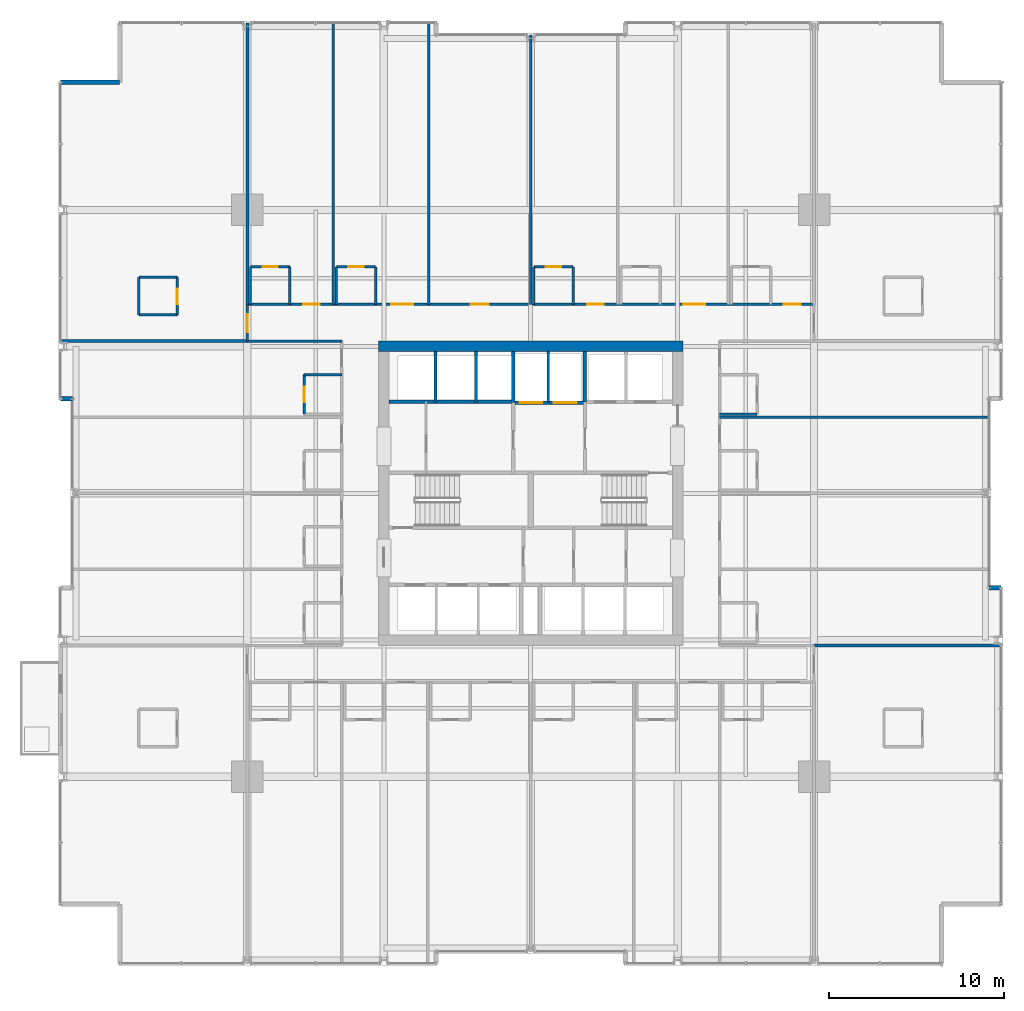
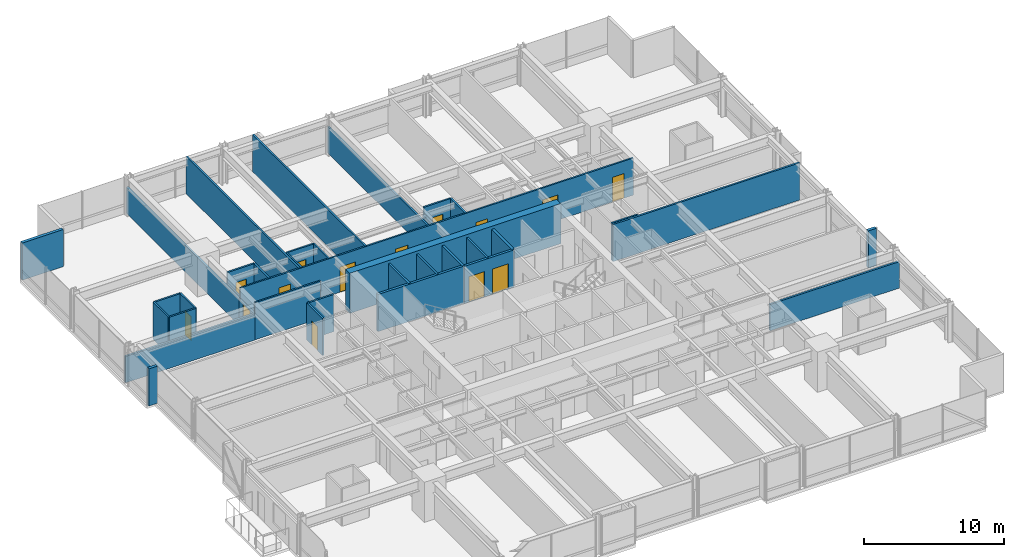
# One storey, part 33 of 39: 37 walls, 14 doors, 14 openings.
"""IFC4 building model written with IfcOpenShell, lengths in metres."""

from ifc_helpers import new_model, si_unit, direction, frame, frame_2d, origin, place, context, subcontext, project, spatial, rectangle, extrude, material, layer, layer_set, type_object, element, fill, save


model = new_model("IFC4")

# Units and contexts
model_context = context("Model", 3, precision=1e-05, world=origin(), true_north=direction((0.0, 1.0)))
body_context = subcontext(model_context, "Body", "Model", "MODEL_VIEW")
ifc_project = project(units=[si_unit("LENGTHUNIT", "METRE"), si_unit("AREAUNIT", "SQUARE_METRE"), si_unit("VOLUMEUNIT", "CUBIC_METRE"), si_unit("PLANEANGLEUNIT", "RADIAN"), si_unit("MASSUNIT", "GRAM", prefix="KILO")], contexts=[model_context])

# Site, building, storey
site_placement = place(None, origin())
site = spatial("IfcSite", under=ifc_project, at=site_placement, CompositionType="ELEMENT")
building_placement = place(site_placement, origin())
building = spatial("IfcBuilding", under=site, at=building_placement, Name="Drelvath Grand Hotel", CompositionType="ELEMENT")
storey_placement = place(building_placement, frame((0.0, 0.0, 40.199951171875)))
storey = spatial("IfcBuildingStorey", under=building, at=storey_placement, Name="L08", CompositionType="ELEMENT", Elevation=40.199951171875)

# Wall
ifc_material_1 = material(Name="Concrete C40/50", Category="concrete")
ifc_layer_1 = layer(ifc_material_1, 0.199951171875)
ifc_layer_set_1 = layer_set([ifc_layer_1], Name="Concrete C40/50")
wall_type_1 = type_object("IfcWallType", Name="Core Hoistway Fire Wall 200", PredefinedType="SOLIDWALL", material=ifc_layer_set_1)
wall_1_placement = place(storey_placement, frame((3.10009765625, 32.219970703125, 0.0), z_axis=(0.0, 0.0, 1.0), x_axis=(0.0, 1.0, 0.0)))
element("IfcWall", 1, at=wall_1_placement, inside=storey, type_object=wall_type_1, Name="L08 FSAE Hoistway West Wall", PredefinedType="SOLIDWALL", context=body_context, shape_type="SweptSolid", body=[
    extrude(rectangle(XDim=2.880126953125, YDim=0.199951171875, at=frame_2d((1.43994140625, 0.0))), origin(), (0.0, 0.0, 1.0), 3.239990234375),
])

# Wall, openings, doors
wall_2_placement = place(storey_placement, frame((-1.0, 32.179931640625, 0.0), z_axis=(0.0, 0.0, 1.0), x_axis=(1.0, 0.0, 0.0)))
wall_2 = element("IfcWall", 2, at=wall_2_placement, inside=storey, type_object=wall_type_1, Name="L08 Service Lift Hoistway Wall", PredefinedType="SOLIDWALL", context=body_context, shape_type="SweptSolid", body=[
    extrude(rectangle(XDim=4.10009765625, YDim=0.199951171875, at=frame_2d((2.050048828125, 0.0))), origin(), (0.0, 0.0, 1.0), 3.239990234375),
])
opening_1_placement = place(wall_2_placement, frame((0.3701171875, 0.0, 0.0)))
opening_1 = element("IfcOpeningElement", 3, at=opening_1_placement, cuts=wall_2, Name="Opening LD-SV-2", PredefinedType="OPENING", context=body_context, shape_type="SweptSolid", body=[
    extrude(rectangle(XDim=1.300048828125, YDim=2.199951171875, at=frame_2d((0.64990234375, 1.10009765625))), frame((0.0, 0.10986328125, 0.0), z_axis=(0.0, -1.0, 0.0), x_axis=(1.0, 0.0, 0.0)), (0.0, 0.0, 1.0), 0.219970703125),
])
opening_2_placement = place(wall_2_placement, frame((2.330078125, 0.0, 0.0)))
opening_2 = element("IfcOpeningElement", 4, at=opening_2_placement, cuts=wall_2, Name="Opening LD-SV-1", PredefinedType="OPENING", context=body_context, shape_type="SweptSolid", body=[
    extrude(rectangle(XDim=1.300048828125, YDim=2.199951171875, at=frame_2d((0.64990234375, 1.10009765625))), frame((0.0, 0.10986328125, 0.0), z_axis=(0.0, -1.0, 0.0), x_axis=(1.0, 0.0, 0.0)), (0.0, 0.0, 1.0), 0.219970703125),
])
ifc_material_2 = material(Name="Stainless Steel S355", Category="steel")
door_type_1 = type_object("IfcDoorType", Name="Service Lift Sliding Landing Door 1300x2200", OperationType="NOTDEFINED", PredefinedType="DOOR", material=ifc_material_2)
door_1_placement = place(opening_1_placement, origin())
door_1 = element("IfcDoor", 5, at=door_1_placement, inside=storey, type_object=door_type_1, Name="L08 Lift SV-2 Landing Door", OperationType="SLIDING_TO_LEFT", OverallHeight=2.199951171875, OverallWidth=1.300048828125, PredefinedType="DOOR", context=body_context, shape_type="SweptSolid", body=[
    extrude(rectangle(XDim=1.300048828125, YDim=2.199951171875, at=frame_2d((0.64990234375, 1.10009765625))), frame((0.0, 0.02490234375, 0.0), z_axis=(0.0, -1.0, 0.0), x_axis=(1.0, 0.0, 0.0)), (0.0, 0.0, 1.0), 0.050048828125),
])
fill(opening_1, door_1)
door_2_placement = place(opening_2_placement, origin())
door_2 = element("IfcDoor", 6, at=door_2_placement, inside=storey, type_object=door_type_1, Name="L08 Lift SV-1 Landing Door", OperationType="SLIDING_TO_LEFT", OverallHeight=2.199951171875, OverallWidth=1.300048828125, PredefinedType="DOOR", context=body_context, shape_type="SweptSolid", body=[
    extrude(rectangle(XDim=1.300048828125, YDim=2.199951171875, at=frame_2d((0.64990234375, 1.10009765625))), frame((0.0, 0.02490234375, 0.0), z_axis=(0.0, -1.0, 0.0), x_axis=(1.0, 0.0, 0.0)), (0.0, 0.0, 1.0), 0.050048828125),
])
fill(opening_2, door_2)

# Walls
wall_3_placement = place(storey_placement, frame((-1.0, 32.179931640625, 0.0), z_axis=(0.0, 0.0, 1.0), x_axis=(0.0, 1.0, 0.0)))
element("IfcWall", 7, at=wall_3_placement, inside=storey, type_object=wall_type_1, Name="L08 Service Lift West Wall", PredefinedType="SOLIDWALL", context=body_context, shape_type="SweptSolid", body=[
    extrude(rectangle(XDim=2.920166015625, YDim=0.199951171875, at=frame_2d((1.4599609375, 0.0))), origin(), (0.0, 0.0, 1.0), 3.239990234375),
])
wall_4_placement = place(storey_placement, frame((-8.10009765625, 32.219970703125, 0.0), z_axis=(0.0, 0.0, 1.0), x_axis=(1.0, 0.0, 0.0)))
element("IfcWall", 8, at=wall_4_placement, inside=storey, type_object=wall_type_1, Name="L08 Bank 3 Hoistway Wall", PredefinedType="SOLIDWALL", context=body_context, shape_type="SweptSolid", body=[
    extrude(rectangle(XDim=7.10009765625, YDim=0.199951171875, at=frame_2d((3.550048828125, 0.0))), origin(), (0.0, 0.0, 1.0), 3.239990234375),
])
ifc_material_3 = material(Name="Gypsum Fireboard Partition")
ifc_layer_2 = layer(ifc_material_3, 0.1650390625)
ifc_layer_set_2 = layer_set([ifc_layer_2], Name="Gypsum Fireboard Partition")
wall_type_2 = type_object("IfcWallType", Name="Core Shaft Partition 165", PredefinedType="PARTITIONING", material=ifc_layer_set_2)
wall_5_placement = place(storey_placement, frame((1.0, 32.179931640625, 0.0), z_axis=(0.0, 0.0, 1.0), x_axis=(0.0, 1.0, 0.0)))
element("IfcWall", 9, at=wall_5_placement, inside=storey, type_object=wall_type_2, Name="L08 Service Lift Divider", PredefinedType="PARTITIONING", context=body_context, shape_type="SweptSolid", body=[
    extrude(rectangle(XDim=2.920166015625, YDim=0.1650390625, at=frame_2d((1.4599609375, 0.0))), origin(), (0.0, 0.0, 1.0), 3.239990234375),
])
for number, where, z_axis, x_axis, name in (
    (10, (-5.43994140625, 32.219970703125, 0.0), (0.0, 0.0, 1.0), (0.0, 1.0, 0.0), "L08 Lift PE-7/8 Divider"),
    (11, (-3.1201171875, 32.219970703125, 0.0), (0.0, 0.0, 1.0), (0.0, 1.0, 0.0), "L08 Lift PE-8/9 Divider"),
):
    element("IfcWall", number, at=place(storey_placement, frame(where, z_axis=z_axis, x_axis=x_axis)), inside=storey, type_object=wall_type_2, Name=name, PredefinedType="PARTITIONING", context=body_context, shape_type="SweptSolid", body=[
        extrude(rectangle(XDim=2.880126953125, YDim=0.1650390625, at=frame_2d((1.43994140625, 0.0))), origin(), (0.0, 0.0, 1.0), 3.239990234375),
    ])

# Wall, openings, doors
ifc_layer_3 = layer(ifc_material_3, 0.135009765625)
ifc_layer_set_3 = layer_set([ifc_layer_3], Name="Gypsum Fireboard Partition")
wall_type_3 = type_object("IfcWallType", Name="Corridor Fire Barrier Wall 135", PredefinedType="PARTITIONING", material=ifc_layer_set_3)
wall_6_placement = place(storey_placement, frame((-16.199951171875, 37.800048828125, 0.0), z_axis=(0.0, 0.0, 1.0), x_axis=(1.0, 0.0, 0.0)))
wall_6 = element("IfcWall", 12, at=wall_6_placement, inside=storey, type_object=wall_type_3, Name="L08 North Corridor Wall", PredefinedType="PARTITIONING", context=body_context, shape_type="SweptSolid", body=[
    extrude(rectangle(XDim=32.39990234375, YDim=0.135009765625, at=frame_2d((16.199951171875, 0.0))), origin(), (0.0, 0.0, 1.0), 3.239990234375),
])
opening_3_placement = place(wall_6_placement, frame((3.189453125, 0.0, 0.0)))
opening_3 = element("IfcOpeningElement", 13, at=opening_3_placement, cuts=wall_6, Name="Opening D-T1G1-039", PredefinedType="OPENING", context=body_context, shape_type="SweptSolid", body=[
    extrude(rectangle(XDim=0.9599609375, YDim=2.14990234375, at=frame_2d((0.47998046875, 1.074951171875))), frame((0.0, 0.077392578125, 0.0), z_axis=(0.0, -1.0, 0.0), x_axis=(1.0, 0.0, 0.0)), (0.0, 0.0, 1.0), 0.155029296875),
])
opening_4_placement = place(wall_6_placement, frame((8.2294921875, 0.0, 0.0)))
opening_4 = element("IfcOpeningElement", 14, at=opening_4_placement, cuts=wall_6, Name="Opening D-T1G1-041", PredefinedType="OPENING", context=body_context, shape_type="SweptSolid", body=[
    extrude(rectangle(XDim=1.260009765625, YDim=2.199951171875, at=frame_2d((0.6298828125, 1.10009765625))), frame((0.0, 0.077392578125, 0.0), z_axis=(0.0, -1.0, 0.0), x_axis=(1.0, 0.0, 0.0)), (0.0, 0.0, 1.0), 0.155029296875),
])
opening_5_placement = place(wall_6_placement, frame((12.780029296875, 0.0, 0.0)))
opening_5 = element("IfcOpeningElement", 15, at=opening_5_placement, cuts=wall_6, Name="Opening D-T1G1-042", PredefinedType="OPENING", context=body_context, shape_type="SweptSolid", body=[
    extrude(rectangle(XDim=1.02001953125, YDim=2.14990234375, at=frame_2d((0.510009765625, 1.074951171875))), frame((0.0, 0.077392578125, 0.0), z_axis=(0.0, -1.0, 0.0), x_axis=(1.0, 0.0, 0.0)), (0.0, 0.0, 1.0), 0.155029296875),
])
opening_6_placement = place(wall_6_placement, frame((19.425048828125, 0.0, 0.0)))
opening_6 = element("IfcOpeningElement", 16, at=opening_6_placement, cuts=wall_6, Name="Opening D-T1G1-044", PredefinedType="OPENING", context=body_context, shape_type="SweptSolid", body=[
    extrude(rectangle(XDim=0.9599609375, YDim=2.14990234375, at=frame_2d((0.47998046875, 1.074951171875))), frame((0.0, 0.077392578125, 0.0), z_axis=(0.0, -1.0, 0.0), x_axis=(1.0, 0.0, 0.0)), (0.0, 0.0, 1.0), 0.155029296875),
])
opening_7_placement = place(wall_6_placement, frame((24.92041015625, 0.0, 0.0)))
opening_7 = element("IfcOpeningElement", 17, at=opening_7_placement, cuts=wall_6, Name="Opening D-T1G1-046", PredefinedType="OPENING", context=body_context, shape_type="SweptSolid", body=[
    extrude(rectangle(XDim=1.260009765625, YDim=2.199951171875, at=frame_2d((0.6298828125, 1.10009765625))), frame((0.0, 0.077392578125, 0.0), z_axis=(0.0, -1.0, 0.0), x_axis=(1.0, 0.0, 0.0)), (0.0, 0.0, 1.0), 0.155029296875),
])
opening_8_placement = place(wall_6_placement, frame((30.680419921875, 0.0, 0.0)))
opening_8 = element("IfcOpeningElement", 18, at=opening_8_placement, cuts=wall_6, Name="Opening D-T1G1-048", PredefinedType="OPENING", context=body_context, shape_type="SweptSolid", body=[
    extrude(rectangle(XDim=0.9599609375, YDim=2.14990234375, at=frame_2d((0.47998046875, 1.074951171875))), frame((0.0, 0.077392578125, 0.0), z_axis=(0.0, -1.0, 0.0), x_axis=(1.0, 0.0, 0.0)), (0.0, 0.0, 1.0), 0.155029296875),
])
ifc_material_4 = material(Name="Hardwood Walnut Timber", Category="wood")
door_type_2 = type_object("IfcDoorType", Name="Amenity Meeting Fire Door 1020x2150", OperationType="NOTDEFINED", PredefinedType="DOOR", material=ifc_material_4)
door_3_placement = place(opening_5_placement, origin())
door_3 = element("IfcDoor", 19, at=door_3_placement, inside=storey, type_object=door_type_2, Name="L08 Executive Conference Room Entry Door", OperationType="SINGLE_SWING_LEFT", OverallHeight=2.14990234375, OverallWidth=1.02001953125, PredefinedType="DOOR", context=body_context, shape_type="SweptSolid", body=[
    extrude(rectangle(XDim=1.02001953125, YDim=2.14990234375, at=frame_2d((0.510009765625, 1.074951171875))), frame((0.0, 0.02490234375, 0.0), z_axis=(0.0, -1.0, 0.0), x_axis=(1.0, 0.0, 0.0)), (0.0, 0.0, 1.0), 0.050048828125),
])
fill(opening_5, door_3)
door_type_3 = type_object("IfcDoorType", Name="Guestroom Entrance Fire Door 960x2150", OperationType="NOTDEFINED", PredefinedType="DOOR", material=ifc_material_4)
door_4_placement = place(opening_3_placement, origin())
door_4 = element("IfcDoor", 20, at=door_4_placement, inside=storey, type_object=door_type_3, Name="L08 King Guest Room Entry Door", OperationType="SINGLE_SWING_RIGHT", OverallHeight=2.14990234375, OverallWidth=0.9599609375, PredefinedType="DOOR", context=body_context, shape_type="SweptSolid", body=[
    extrude(rectangle(XDim=0.9599609375, YDim=2.14990234375, at=frame_2d((0.47998046875, 1.074951171875))), frame((0.0, 0.02490234375, 0.0), z_axis=(0.0, -1.0, 0.0), x_axis=(1.0, 0.0, 0.0)), (0.0, 0.0, 1.0), 0.050048828125),
])
fill(opening_3, door_4)
door_5_placement = place(opening_6_placement, origin())
door_5 = element("IfcDoor", 21, at=door_5_placement, inside=storey, type_object=door_type_3, Name="L08 King Guest Room Entry Door", OperationType="SINGLE_SWING_LEFT", OverallHeight=2.14990234375, OverallWidth=0.9599609375, PredefinedType="DOOR", context=body_context, shape_type="SweptSolid", body=[
    extrude(rectangle(XDim=0.9599609375, YDim=2.14990234375, at=frame_2d((0.47998046875, 1.074951171875))), frame((0.0, 0.02490234375, 0.0), z_axis=(0.0, -1.0, 0.0), x_axis=(1.0, 0.0, 0.0)), (0.0, 0.0, 1.0), 0.050048828125),
])
fill(opening_6, door_5)
door_6_placement = place(opening_8_placement, origin())
door_6 = element("IfcDoor", 22, at=door_6_placement, inside=storey, type_object=door_type_3, Name="L08 King Guest Room Entry Door", OperationType="SINGLE_SWING_LEFT", OverallHeight=2.14990234375, OverallWidth=0.9599609375, PredefinedType="DOOR", context=body_context, shape_type="SweptSolid", body=[
    extrude(rectangle(XDim=0.9599609375, YDim=2.14990234375, at=frame_2d((0.47998046875, 1.074951171875))), frame((0.0, 0.02490234375, 0.0), z_axis=(0.0, -1.0, 0.0), x_axis=(1.0, 0.0, 0.0)), (0.0, 0.0, 1.0), 0.050048828125),
])
fill(opening_8, door_6)
door_type_4 = type_object("IfcDoorType", Name="Suite Entrance Fire Door 1260x2200", OperationType="NOTDEFINED", PredefinedType="DOOR", material=ifc_material_4)
door_7_placement = place(opening_4_placement, origin())
door_7 = element("IfcDoor", 23, at=door_7_placement, inside=storey, type_object=door_type_4, Name="L08 Corner Suite Entry Door", OperationType="SINGLE_SWING_RIGHT", OverallHeight=2.199951171875, OverallWidth=1.260009765625, PredefinedType="DOOR", context=body_context, shape_type="SweptSolid", body=[
    extrude(rectangle(XDim=1.260009765625, YDim=2.199951171875, at=frame_2d((0.6298828125, 1.10009765625))), frame((0.0, 0.02490234375, 0.0), z_axis=(0.0, -1.0, 0.0), x_axis=(1.0, 0.0, 0.0)), (0.0, 0.0, 1.0), 0.050048828125),
])
fill(opening_4, door_7)
door_8_placement = place(opening_7_placement, origin())
door_8 = element("IfcDoor", 24, at=door_8_placement, inside=storey, type_object=door_type_4, Name="L08 Corner Suite Entry Door", OperationType="SINGLE_SWING_LEFT", OverallHeight=2.199951171875, OverallWidth=1.260009765625, PredefinedType="DOOR", context=body_context, shape_type="SweptSolid", body=[
    extrude(rectangle(XDim=1.260009765625, YDim=2.199951171875, at=frame_2d((0.6298828125, 1.10009765625))), frame((0.0, 0.02490234375, 0.0), z_axis=(0.0, -1.0, 0.0), x_axis=(1.0, 0.0, 0.0)), (0.0, 0.0, 1.0), 0.050048828125),
])
fill(opening_7, door_8)

# Wall
wall_7_placement = place(storey_placement, frame((-16.199951171875, 35.699951171875, 0.0), z_axis=(0.0, 0.0, 1.0), x_axis=(1.0, 0.0, 0.0)))
element("IfcWall", 25, at=wall_7_placement, inside=storey, type_object=wall_type_3, Name="L08 NW Spur Inner Wall", PredefinedType="PARTITIONING", context=body_context, shape_type="SweptSolid", body=[
    extrude(rectangle(XDim=5.39990234375, YDim=0.135009765625, at=frame_2d((2.699951171875, 0.0))), origin(), (0.0, 0.0, 1.0), 3.239990234375),
])

# Wall, opening, door
wall_8_placement = place(storey_placement, frame((-16.199951171875, 35.699951171875, 0.0), z_axis=(0.0, 0.0, 1.0), x_axis=(0.0, 1.0, 0.0)))
wall_8 = element("IfcWall", 26, at=wall_8_placement, inside=storey, type_object=wall_type_3, Name="L08 North Corridor West End", PredefinedType="PARTITIONING", context=body_context, shape_type="SweptSolid", body=[
    extrude(rectangle(XDim=2.10009765625, YDim=0.135009765625, at=frame_2d((1.050048828125, 0.0))), origin(), (0.0, 0.0, 1.0), 2.29833984375),
])
opening_9_placement = place(wall_8_placement, frame((0.52001953125, 0.0, 0.0)))
opening_9 = element("IfcOpeningElement", 27, at=opening_9_placement, cuts=wall_8, Name="Opening D-T1G1-023", PredefinedType="OPENING", context=body_context, shape_type="SweptSolid", body=[
    extrude(rectangle(XDim=1.02001953125, YDim=2.14990234375, at=frame_2d((0.510009765625, 1.074951171875))), frame((0.0, 0.077392578125, 0.0), z_axis=(0.0, -1.0, 0.0), x_axis=(1.0, 0.0, 0.0)), (0.0, 0.0, 1.0), 0.155029296875),
])
door_9_placement = place(opening_9_placement, origin())
door_9 = element("IfcDoor", 28, at=door_9_placement, inside=storey, type_object=door_type_2, Name="L08 Corner Suite Entry Door", OperationType="SINGLE_SWING_RIGHT", OverallHeight=2.14990234375, OverallWidth=1.02001953125, PredefinedType="DOOR", context=body_context, shape_type="SweptSolid", body=[
    extrude(rectangle(XDim=1.02001953125, YDim=2.14990234375, at=frame_2d((0.510009765625, 1.074951171875))), frame((0.0, 0.02490234375, 0.0), z_axis=(0.0, -1.0, 0.0), x_axis=(1.0, 0.0, 0.0)), (0.0, 0.0, 1.0), 0.050048828125),
])
fill(opening_9, door_9)

# Walls
ifc_material_5 = material(Name="Moisture-Resistant Gypsum Board")
ifc_layer_4 = layer(ifc_material_5, 0.139892578125)
ifc_layer_set_4 = layer_set([ifc_layer_4], Name="Moisture-Resistant Gypsum Board")
wall_type_4 = type_object("IfcWallType", Name="En-Suite Plumbing Wall 140", PredefinedType="PLUMBINGWALL", material=ifc_layer_set_4)
for number, where, z_axis, x_axis, name in (
    (29, (-22.39990234375, 37.199951171875, 0.0), (0.0, 0.0, 1.0), (1.0, 0.0, 0.0), "L08 Corner En-Suite South"),
    (30, (-22.39990234375, 39.35009765625, 0.0), (0.0, 0.0, 1.0), (1.0, 0.0, 0.0), "L08 Corner En-Suite North"),
):
    element("IfcWall", number, at=place(storey_placement, frame(where, z_axis=z_axis, x_axis=x_axis)), inside=storey, type_object=wall_type_4, Name=name, PredefinedType="PLUMBINGWALL", context=body_context, shape_type="SweptSolid", body=[
        extrude(rectangle(XDim=2.199951171875, YDim=0.139892578125, at=frame_2d((1.10009765625, 0.0))), origin(), (0.0, 0.0, 1.0), 3.239990234375),
    ])
wall_9_placement = place(storey_placement, frame((-22.39990234375, 37.199951171875, 0.0), z_axis=(0.0, 0.0, 1.0), x_axis=(0.0, 1.0, 0.0)))
element("IfcWall", 31, at=wall_9_placement, inside=storey, type_object=wall_type_4, Name="L08 Corner En-Suite West", PredefinedType="PLUMBINGWALL", context=body_context, shape_type="SweptSolid", body=[
    extrude(rectangle(XDim=2.150146484375, YDim=0.139892578125, at=frame_2d((1.0751953125, 0.0))), origin(), (0.0, 0.0, 1.0), 3.239990234375),
])

# Wall, opening, door
wall_10_placement = place(storey_placement, frame((-20.199951171875, 37.199951171875, 0.0), z_axis=(0.0, 0.0, 1.0), x_axis=(0.0, 1.0, 0.0)))
wall_10 = element("IfcWall", 32, at=wall_10_placement, inside=storey, type_object=wall_type_4, Name="L08 Corner En-Suite East", PredefinedType="PLUMBINGWALL", context=body_context, shape_type="SweptSolid", body=[
    extrude(rectangle(XDim=2.150146484375, YDim=0.139892578125, at=frame_2d((1.0751953125, 0.0))), origin(), (0.0, 0.0, 1.0), 3.239990234375),
])
opening_10_placement = place(wall_10_placement, frame((0.6201171875, 0.0, 0.0)))
opening_10 = element("IfcOpeningElement", 33, at=opening_10_placement, cuts=wall_10, Name="Opening D-T1G1-022", PredefinedType="OPENING", context=body_context, shape_type="SweptSolid", body=[
    extrude(rectangle(XDim=0.8798828125, YDim=2.10009765625, at=frame_2d((0.43994140625, 1.050048828125))), frame((0.0, 0.079833984375, 0.0), z_axis=(0.0, -1.0, 0.0), x_axis=(1.0, 0.0, 0.0)), (0.0, 0.0, 1.0), 0.159912109375),
])
door_type_5 = type_object("IfcDoorType", Name="En-Suite Bathroom Door 880x2100", OperationType="NOTDEFINED", PredefinedType="DOOR", material=ifc_material_4)
door_10_placement = place(opening_10_placement, origin())
door_10 = element("IfcDoor", 34, at=door_10_placement, inside=storey, type_object=door_type_5, Name="L08 Corner En-Suite Door", OperationType="SINGLE_SWING_LEFT", OverallHeight=2.10009765625, OverallWidth=0.8798828125, PredefinedType="DOOR", context=body_context, shape_type="SweptSolid", body=[
    extrude(rectangle(XDim=0.8798828125, YDim=2.10009765625, at=frame_2d((0.43994140625, 1.050048828125))), frame((0.0, 0.02490234375, 0.0), z_axis=(0.0, -1.0, 0.0), x_axis=(1.0, 0.0, 0.0)), (0.0, 0.0, 1.0), 0.050048828125),
])
fill(opening_10, door_10)

# Walls
wall_11_placement = place(storey_placement, frame((-16.02001953125, 37.800048828125, 0.0), z_axis=(0.0, 0.0, 1.0), x_axis=(0.0, 1.0, 0.0)))
element("IfcWall", 35, at=wall_11_placement, inside=storey, type_object=wall_type_4, Name="L08 En-Suite Left Wall", PredefinedType="PLUMBINGWALL", context=body_context, shape_type="SweptSolid", body=[
    extrude(rectangle(XDim=2.14990234375, YDim=0.139892578125, at=frame_2d((1.074951171875, 0.0))), origin(), (0.0, 0.0, 1.0), 2.29833984375),
])
wall_12_placement = place(storey_placement, frame((-13.77001953125, 37.800048828125, 0.0), z_axis=(0.0, 0.0, 1.0), x_axis=(0.0, 1.0, 0.0)))
element("IfcWall", 36, at=wall_12_placement, inside=storey, type_object=wall_type_4, Name="L08 En-Suite Right Wall", PredefinedType="PLUMBINGWALL", context=body_context, shape_type="SweptSolid", body=[
    extrude(rectangle(XDim=2.14990234375, YDim=0.139892578125, at=frame_2d((1.074951171875, 0.0))), origin(), (0.0, 0.0, 1.0), 3.239990234375),
])

# Wall, opening, door
wall_13_placement = place(storey_placement, frame((-16.02001953125, 39.949951171875, 0.0), z_axis=(0.0, 0.0, 1.0), x_axis=(1.0, 0.0, 0.0)))
wall_13 = element("IfcWall", 37, at=wall_13_placement, inside=storey, type_object=wall_type_4, Name="L08 En-Suite Front Wall", PredefinedType="PLUMBINGWALL", context=body_context, shape_type="SweptSolid", body=[
    extrude(rectangle(XDim=2.25, YDim=0.139892578125, at=frame_2d((1.125, 0.0))), origin(), (0.0, 0.0, 1.0), 3.239990234375),
])
opening_11_placement = place(wall_13_placement, frame((0.68505859375, 0.0, 0.0)))
opening_11 = element("IfcOpeningElement", 38, at=opening_11_placement, cuts=wall_13, Name="Opening D-T1G1-038", PredefinedType="OPENING", context=body_context, shape_type="SweptSolid", body=[
    extrude(rectangle(XDim=0.8798828125, YDim=2.10009765625, at=frame_2d((0.43994140625, 1.050048828125))), frame((0.0, 0.079833984375, 0.0), z_axis=(0.0, -1.0, 0.0), x_axis=(1.0, 0.0, 0.0)), (0.0, 0.0, 1.0), 0.159912109375),
])
door_11_placement = place(opening_11_placement, origin())
door_11 = element("IfcDoor", 39, at=door_11_placement, inside=storey, type_object=door_type_5, Name="L08 En-Suite Bathroom Door", OperationType="SINGLE_SWING_LEFT", OverallHeight=2.10009765625, OverallWidth=0.8798828125, PredefinedType="DOOR", context=body_context, shape_type="SweptSolid", body=[
    extrude(rectangle(XDim=0.8798828125, YDim=2.10009765625, at=frame_2d((0.43994140625, 1.050048828125))), frame((0.0, 0.02490234375, 0.0), z_axis=(0.0, -1.0, 0.0), x_axis=(1.0, 0.0, 0.0)), (0.0, 0.0, 1.0), 0.050048828125),
])
fill(opening_11, door_11)

# Walls
for number, where, z_axis, x_axis, name in (
    (40, (-11.11083984375, 37.800048828125, 0.0), (0.0, 0.0, 1.0), (0.0, 1.0, 0.0), "L08 En-Suite Left Wall"),
    (41, (-8.86083984375, 37.800048828125, 0.0), (0.0, 0.0, 1.0), (0.0, 1.0, 0.0), "L08 En-Suite Right Wall"),
):
    element("IfcWall", number, at=place(storey_placement, frame(where, z_axis=z_axis, x_axis=x_axis)), inside=storey, type_object=wall_type_4, Name=name, PredefinedType="PLUMBINGWALL", context=body_context, shape_type="SweptSolid", body=[
        extrude(rectangle(XDim=2.14990234375, YDim=0.139892578125, at=frame_2d((1.074951171875, 0.0))), origin(), (0.0, 0.0, 1.0), 3.239990234375),
    ])

# Wall, opening, door
wall_14_placement = place(storey_placement, frame((-11.11083984375, 39.949951171875, 0.0), z_axis=(0.0, 0.0, 1.0), x_axis=(1.0, 0.0, 0.0)))
wall_14 = element("IfcWall", 42, at=wall_14_placement, inside=storey, type_object=wall_type_4, Name="L08 En-Suite Front Wall", PredefinedType="PLUMBINGWALL", context=body_context, shape_type="SweptSolid", body=[
    extrude(rectangle(XDim=2.25, YDim=0.139892578125, at=frame_2d((1.125, 0.0))), origin(), (0.0, 0.0, 1.0), 3.239990234375),
])
opening_12_placement = place(wall_14_placement, frame((0.68505859375, 0.0, 0.0)))
opening_12 = element("IfcOpeningElement", 43, at=opening_12_placement, cuts=wall_14, Name="Opening D-T1G1-040", PredefinedType="OPENING", context=body_context, shape_type="SweptSolid", body=[
    extrude(rectangle(XDim=0.8798828125, YDim=2.10009765625, at=frame_2d((0.43994140625, 1.050048828125))), frame((0.0, 0.079833984375, 0.0), z_axis=(0.0, -1.0, 0.0), x_axis=(1.0, 0.0, 0.0)), (0.0, 0.0, 1.0), 0.159912109375),
])
door_12_placement = place(opening_12_placement, origin())
door_12 = element("IfcDoor", 44, at=door_12_placement, inside=storey, type_object=door_type_5, Name="L08 En-Suite Bathroom Door", OperationType="SINGLE_SWING_LEFT", OverallHeight=2.10009765625, OverallWidth=0.8798828125, PredefinedType="DOOR", context=body_context, shape_type="SweptSolid", body=[
    extrude(rectangle(XDim=0.8798828125, YDim=2.10009765625, at=frame_2d((0.43994140625, 1.050048828125))), frame((0.0, 0.02490234375, 0.0), z_axis=(0.0, -1.0, 0.0), x_axis=(1.0, 0.0, 0.0)), (0.0, 0.0, 1.0), 0.050048828125),
])
fill(opening_12, door_12)

# Walls
wall_15_placement = place(storey_placement, frame((0.179931640625, 37.800048828125, 0.0), z_axis=(0.0, 0.0, 1.0), x_axis=(0.0, 1.0, 0.0)))
element("IfcWall", 45, at=wall_15_placement, inside=storey, type_object=wall_type_4, Name="L08 En-Suite Left Wall", PredefinedType="PLUMBINGWALL", context=body_context, shape_type="SweptSolid", body=[
    extrude(rectangle(XDim=2.14990234375, YDim=0.139892578125, at=frame_2d((1.074951171875, 0.0))), origin(), (0.0, 0.0, 1.0), 2.617431640625),
])
wall_16_placement = place(storey_placement, frame((2.429931640625, 37.800048828125, 0.0), z_axis=(0.0, 0.0, 1.0), x_axis=(0.0, 1.0, 0.0)))
element("IfcWall", 46, at=wall_16_placement, inside=storey, type_object=wall_type_4, Name="L08 En-Suite Right Wall", PredefinedType="PLUMBINGWALL", context=body_context, shape_type="SweptSolid", body=[
    extrude(rectangle(XDim=2.14990234375, YDim=0.139892578125, at=frame_2d((1.074951171875, 0.0))), origin(), (0.0, 0.0, 1.0), 3.239990234375),
])

# Wall, opening, door
wall_17_placement = place(storey_placement, frame((0.179931640625, 39.949951171875, 0.0), z_axis=(0.0, 0.0, 1.0), x_axis=(1.0, 0.0, 0.0)))
wall_17 = element("IfcWall", 47, at=wall_17_placement, inside=storey, type_object=wall_type_4, Name="L08 En-Suite Front Wall", PredefinedType="PLUMBINGWALL", context=body_context, shape_type="SweptSolid", body=[
    extrude(rectangle(XDim=2.25, YDim=0.139892578125, at=frame_2d((1.125, 0.0))), origin(), (0.0, 0.0, 1.0), 3.239990234375),
])
opening_13_placement = place(wall_17_placement, frame((0.68505859375, 0.0, 0.0)))
opening_13 = element("IfcOpeningElement", 48, at=opening_13_placement, cuts=wall_17, Name="Opening D-T1G1-043", PredefinedType="OPENING", context=body_context, shape_type="SweptSolid", body=[
    extrude(rectangle(XDim=0.8798828125, YDim=2.10009765625, at=frame_2d((0.43994140625, 1.050048828125))), frame((0.0, 0.079833984375, 0.0), z_axis=(0.0, -1.0, 0.0), x_axis=(1.0, 0.0, 0.0)), (0.0, 0.0, 1.0), 0.159912109375),
])
door_13_placement = place(opening_13_placement, origin())
door_13 = element("IfcDoor", 49, at=door_13_placement, inside=storey, type_object=door_type_5, Name="L08 En-Suite Bathroom Door", OperationType="SINGLE_SWING_RIGHT", OverallHeight=2.10009765625, OverallWidth=0.8798828125, PredefinedType="DOOR", context=body_context, shape_type="SweptSolid", body=[
    extrude(rectangle(XDim=0.8798828125, YDim=2.10009765625, at=frame_2d((0.43994140625, 1.050048828125))), frame((0.0, 0.02490234375, 0.0), z_axis=(0.0, -1.0, 0.0), x_axis=(1.0, 0.0, 0.0)), (0.0, 0.0, 1.0), 0.050048828125),
])
fill(opening_13, door_13)

# Wall
wall_18_placement = place(storey_placement, frame((-10.800048828125, 33.780029296875, 0.0), z_axis=(0.0, 0.0, 1.0), x_axis=(-1.0, 0.0, 0.0)))
element("IfcWall", 50, at=wall_18_placement, inside=storey, type_object=wall_type_4, Name="L08 En-Suite Right Wall", PredefinedType="PLUMBINGWALL", context=body_context, shape_type="SweptSolid", body=[
    extrude(rectangle(XDim=2.14990234375, YDim=0.139892578125, at=frame_2d((1.074951171875, 0.0))), origin(), (0.0, 0.0, 1.0), 3.239990234375),
])

# Wall, opening, door
wall_19_placement = place(storey_placement, frame((-12.949951171875, 31.530029296875, 0.0), z_axis=(0.0, 0.0, 1.0), x_axis=(0.0, 1.0, 0.0)))
wall_19 = element("IfcWall", 51, at=wall_19_placement, inside=storey, type_object=wall_type_4, Name="L08 En-Suite Front Wall", PredefinedType="PLUMBINGWALL", context=body_context, shape_type="SweptSolid", body=[
    extrude(rectangle(XDim=2.25, YDim=0.139892578125, at=frame_2d((1.125, 0.0))), origin(), (0.0, 0.0, 1.0), 3.239990234375),
])
opening_14_placement = place(wall_19_placement, frame((0.68505859375, 0.0, 0.0)))
opening_14 = element("IfcOpeningElement", 52, at=opening_14_placement, cuts=wall_19, Name="Opening D-T1G1-055", PredefinedType="OPENING", context=body_context, shape_type="SweptSolid", body=[
    extrude(rectangle(XDim=0.8798828125, YDim=2.10009765625, at=frame_2d((0.43994140625, 1.050048828125))), frame((0.0, 0.079833984375, 0.0), z_axis=(0.0, -1.0, 0.0), x_axis=(1.0, 0.0, 0.0)), (0.0, 0.0, 1.0), 0.159912109375),
])
door_14_placement = place(opening_14_placement, origin())
door_14 = element("IfcDoor", 53, at=door_14_placement, inside=storey, type_object=door_type_5, Name="L08 En-Suite Bathroom Door", OperationType="SINGLE_SWING_RIGHT", OverallHeight=2.10009765625, OverallWidth=0.8798828125, PredefinedType="DOOR", context=body_context, shape_type="SweptSolid", body=[
    extrude(rectangle(XDim=0.8798828125, YDim=2.10009765625, at=frame_2d((0.43994140625, 1.050048828125))), frame((0.0, 0.02490234375, 0.0), z_axis=(0.0, -1.0, 0.0), x_axis=(1.0, 0.0, 0.0)), (0.0, 0.0, 1.0), 0.050048828125),
])
fill(opening_14, door_14)

# Walls
wall_20_placement = place(storey_placement, frame((10.800048828125, 31.530029296875, 0.0), z_axis=(0.0, 0.0, 1.0), x_axis=(1.0, 0.0, 0.0)))
element("IfcWall", 54, at=wall_20_placement, inside=storey, type_object=wall_type_4, Name="L08 En-Suite Left Wall", PredefinedType="PLUMBINGWALL", context=body_context, shape_type="SweptSolid", body=[
    extrude(rectangle(XDim=2.14990234375, YDim=0.139892578125, at=frame_2d((1.074951171875, 0.0))), origin(), (0.0, 0.0, 1.0), 3.239990234375),
])
ifc_material_6 = material(Name="Gypsum Acoustic Partition")
ifc_layer_5 = layer(ifc_material_6, 0.14990234375)
ifc_layer_set_5 = layer_set([ifc_layer_5], Name="Gypsum Acoustic Partition")
wall_type_5 = type_object("IfcWallType", Name="Guestroom Demising Wall 150", PredefinedType="PARTITIONING", material=ifc_layer_set_5)
for number, where, z_axis, x_axis, name in (
    (55, (-11.291015625, 37.800048828125, 0.0), (0.0, 0.0, 1.0), (0.0, 1.0, 0.0), "L08 North Demising 1"),
    (56, (-5.820068359375, 37.800048828125, 0.0), (0.0, 0.0, 1.0), (0.0, 1.0, 0.0), "L08 North Demising 2"),
):
    element("IfcWall", number, at=place(storey_placement, frame(where, z_axis=z_axis, x_axis=x_axis)), inside=storey, type_object=wall_type_5, Name=name, PredefinedType="PARTITIONING", context=body_context, shape_type="SweptSolid", body=[
        extrude(rectangle(XDim=16.079833984375, YDim=0.14990234375, at=frame_2d((8.0400390625, 0.0))), origin(), (0.0, 0.0, 1.0), 3.239990234375),
    ])
wall_21_placement = place(storey_placement, frame((0.0, 37.800048828125, 0.0), z_axis=(0.0, 0.0, 1.0), x_axis=(0.0, 1.0, 0.0)))
element("IfcWall", 57, at=wall_21_placement, inside=storey, type_object=wall_type_5, Name="L08 North Demising 3", PredefinedType="PARTITIONING", context=body_context, shape_type="SweptSolid", body=[
    extrude(rectangle(XDim=15.39990234375, YDim=0.14990234375, at=frame_2d((7.699951171875, 0.0))), origin(), (0.0, 0.0, 1.0), 2.29833984375),
])
wall_22_placement = place(storey_placement, frame((10.800048828125, 31.35009765625, 0.0), z_axis=(0.0, 0.0, 1.0), x_axis=(1.0, 0.0, 0.0)))
element("IfcWall", 58, at=wall_22_placement, inside=storey, type_object=wall_type_5, Name="L08 East Demising 3", PredefinedType="PARTITIONING", context=body_context, shape_type="SweptSolid", body=[
    extrude(rectangle(XDim=15.39990234375, YDim=0.14990234375, at=frame_2d((7.699951171875, 0.0))), origin(), (0.0, 0.0, 1.0), 3.239990234375),
])
ifc_material_7 = material(Name="Concrete f'c 70 MPa", Category="concrete")
ifc_layer_6 = layer(ifc_material_7, 0.60009765625)
ifc_layer_set_6 = layer_set([ifc_layer_6], Name="Concrete f'c 70 MPa")
wall_type_6 = type_object("IfcWallType", Name="Lower Core RC Shear Wall 600", PredefinedType="SHEAR", material=ifc_layer_set_6)
wall_23_placement = place(storey_placement, frame((-8.699951171875, 35.39990234375, 0.0), z_axis=(0.0, 0.0, 1.0), x_axis=(1.0, 0.0, 0.0)))
element("IfcWall", 59, at=wall_23_placement, inside=storey, type_object=wall_type_6, Name="L08 Central Core Shear Wall N", PredefinedType="SHEAR", context=body_context, shape_type="SweptSolid", body=[
    extrude(rectangle(XDim=17.39990234375, YDim=0.60009765625, at=frame_2d((8.699951171875, 0.0))), origin(), (0.0, 0.0, 1.0), 3.5),
])
ifc_layer_7 = layer(ifc_material_6, 0.1650390625)
ifc_layer_set_7 = layer_set([ifc_layer_7], Name="Gypsum Acoustic Partition")
wall_type_7 = type_object("IfcWallType", Name="Suite Demising Wall 165", PredefinedType="PARTITIONING", material=ifc_layer_set_7)
wall_24_placement = place(storey_placement, frame((-16.199951171875, 37.800048828125, 0.0), z_axis=(0.0, 0.0, 1.0), x_axis=(0.0, 1.0, 0.0)))
element("IfcWall", 60, at=wall_24_placement, inside=storey, type_object=wall_type_7, Name="L08 NW Wing Boundary Wall", PredefinedType="PARTITIONING", context=body_context, shape_type="SweptSolid", body=[
    extrude(rectangle(XDim=16.079833984375, YDim=0.1650390625, at=frame_2d((8.0400390625, 0.0))), origin(), (0.0, 0.0, 1.0), 2.29833984375),
])
for number, where, z_axis, x_axis, name in (
    (61, (16.199951171875, 18.300048828125, 0.0), (0.0, 0.0, 1.0), (1.0, 0.0, 0.0), "L08 SE Corner North Wall"),
    (62, (-26.8798828125, 35.699951171875, 0.0), (0.0, 0.0, 1.0), (1.0, 0.0, 0.0), "L08 NW Corner South Wall"),
):
    element("IfcWall", number, at=place(storey_placement, frame(where, z_axis=z_axis, x_axis=x_axis)), inside=storey, type_object=wall_type_7, Name=name, PredefinedType="PARTITIONING", context=body_context, shape_type="SweptSolid", body=[
        extrude(rectangle(XDim=10.679931640625, YDim=0.1650390625, at=frame_2d((5.33984375, 0.0))), origin(), (0.0, 0.0, 1.0), 2.29833984375),
    ])
ifc_material_8 = material(Name="Pale-Metal Insulated Aluminium Spandrel Assembly", Category="aluminium")
ifc_layer_8 = layer(ifc_material_8, 0.239990234375)
ifc_layer_set_8 = layer_set([ifc_layer_8], Name="Pale-Metal Insulated Aluminium Spandrel Assembly")
wall_type_8 = type_object("IfcWallType", Name="Tower Insulated Metal Spandrel Closure Wall 240", PredefinedType="STANDARD", material=ifc_layer_set_8)
wall_25_placement = place(storey_placement, frame((-26.8798828125, 50.5, 0.0), z_axis=(0.0, 0.0, 1.0), x_axis=(1.0, 0.0, 0.0)))
element("IfcWall", 63, at=wall_25_placement, inside=storey, type_object=wall_type_8, Name="L08 Notched Corner Return Spandrel Wall CNW1", PredefinedType="STANDARD", context=body_context, shape_type="SweptSolid", body=[
    extrude(rectangle(XDim=3.3798828125, YDim=0.239990234375, at=frame_2d((1.68994140625, 0.0))), origin(), (0.0, 0.0, 1.0), 3.239990234375),
])
for number, where, z_axis, x_axis, name in (
    (64, (-26.199951171875, 32.39990234375, 0.0), (0.0, 0.0, 1.0), (-1.0, 0.0, 0.0), "L08 Notched Corner Return Spandrel Wall RW2"),
    (65, (26.199951171875, 21.60009765625, 0.0), (0.0, 0.0, 1.0), (1.0, 0.0, 0.0), "L08 Notched Corner Return Spandrel Wall RE2"),
):
    element("IfcWall", number, at=place(storey_placement, frame(where, z_axis=z_axis, x_axis=x_axis)), inside=storey, type_object=wall_type_8, Name=name, PredefinedType="STANDARD", context=body_context, shape_type="SweptSolid", body=[
        extrude(rectangle(XDim=0.679931640625, YDim=0.239990234375, at=frame_2d((0.33984375, 0.0))), origin(), (0.0, 0.0, 1.0), 3.239990234375),
    ])

save(model, "model.ifc")
